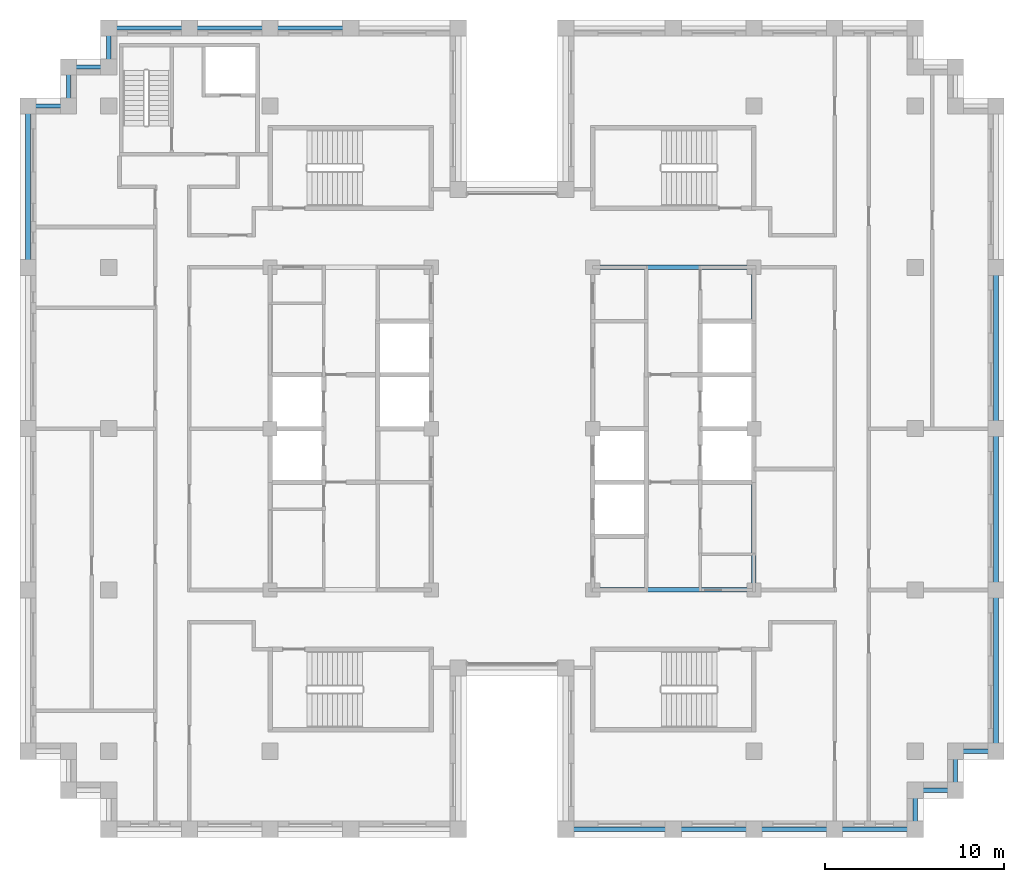
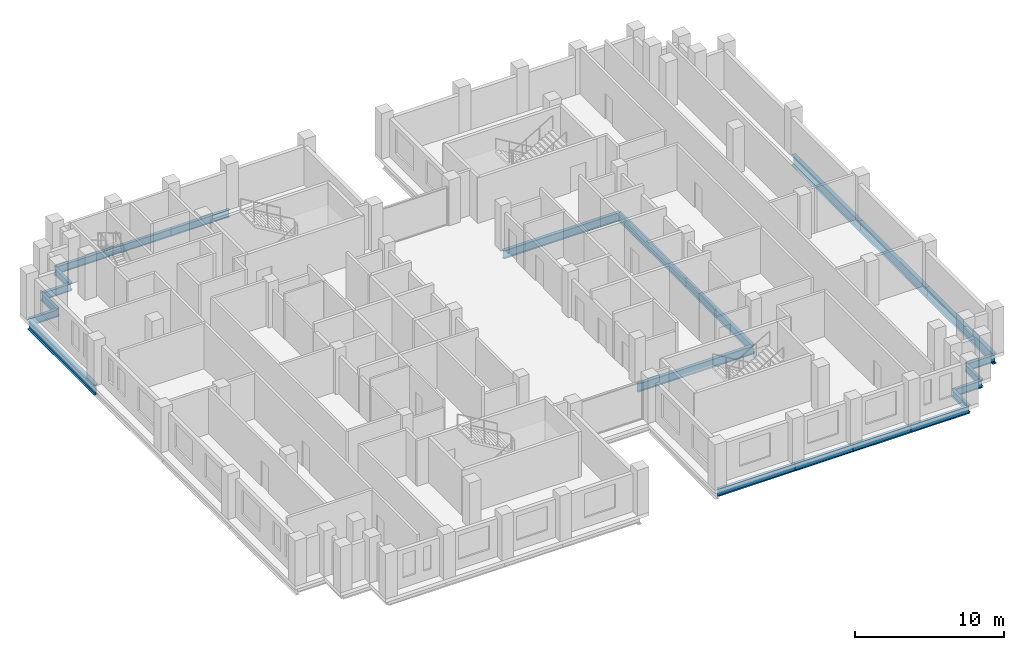
# One storey, part 3 of 13: 23 beams.
"""IFC4 building model written with IfcOpenShell, lengths in metres."""

from ifc_helpers import new_model, si_unit, direction, frame, origin, origin_2d, place, context, subcontext, project, spatial, i_section, extrude, material, material_profile, profile_set, type_object, element, save


model = new_model("IFC4")

# Units and contexts
model_context = context("Model", 3, precision=1e-05, world=origin(), true_north=direction((0.0, 1.0)))
body_context = subcontext(model_context, "Body", "Model", "MODEL_VIEW")
ifc_project = project(units=[si_unit("LENGTHUNIT", "METRE"), si_unit("AREAUNIT", "SQUARE_METRE"), si_unit("VOLUMEUNIT", "CUBIC_METRE"), si_unit("PLANEANGLEUNIT", "RADIAN"), si_unit("MASSUNIT", "GRAM", prefix="KILO")], contexts=[model_context])

# Site, building, storey
site_placement = place(None, origin())
site = spatial("IfcSite", under=ifc_project, at=site_placement, CompositionType="ELEMENT")
building_placement = place(site_placement, origin())
building = spatial("IfcBuilding", under=site, at=building_placement, Name="Corbelhall Arena Tower", CompositionType="ELEMENT")
storey_placement = place(building_placement, frame((0.0, 0.0, 266.0)))
storey = spatial("IfcBuildingStorey", under=building, at=storey_placement, Name="L57", CompositionType="ELEMENT", Elevation=266.0)

# Beams
ifc_material = material(Name="Steel ASTM A992 Gr50", Category="steel")
ifc_material_profile_1 = material_profile(ifc_material, i_section(OverallWidth=0.25390625, OverallDepth=0.67822265625, WebThickness=0.01171875, FlangeThickness=0.016357421875, at=origin_2d()))
ifc_profile_set_1 = profile_set([ifc_material_profile_1], Name="Steel ASTM A992 Gr50")
beam_type_1 = type_object("IfcBeamType", Name="ST-BEAM-W27x84", PredefinedType="BEAM", material=ifc_profile_set_1)
for number, where, z_axis, x_axis, name in (
    (1, (13.5, -9.0, -0.619140625), (0.0, 1.0, 0.0), (-1.0, 0.0, 0.0), "Beam CEE 9"),
    (2, (13.5, 0.0, -0.619140625), (0.0, 1.0, 0.0), (-1.0, 0.0, 0.0), "Beam CEE 10"),
    (3, (4.5, -9.0, -0.619140625), (1.0, 0.0, 0.0), (0.0, 1.0, 0.0), "Beam CEE 11"),
    (4, (4.5, 9.0, -0.619140625), (1.0, 0.0, 0.0), (0.0, 1.0, 0.0), "Beam CEE 12"),
):
    element("IfcBeam", number, at=place(storey_placement, frame(where, z_axis=z_axis, x_axis=x_axis)), inside=storey, type_object=beam_type_1, Name=name, PredefinedType="BEAM", context=body_context, shape_type="SweptSolid", body=[
        extrude(i_section(OverallWidth=0.25390625, OverallDepth=0.67822265625, WebThickness=0.01171875, FlangeThickness=0.016357421875, at=origin_2d()), origin(), (0.0, 0.0, 1.0), 9.0),
    ])
ifc_material_profile_2 = material_profile(ifc_material, i_section(OverallWidth=0.227783203125, OverallDepth=0.60205078125, WebThickness=0.010498046875, FlangeThickness=0.014892578125, at=origin_2d()))
ifc_profile_set_2 = profile_set([ifc_material_profile_2], Name="Steel ASTM A992 Gr50")
beam_type_2 = type_object("IfcBeamType", Name="ST-SPANDREL-W24x68", PredefinedType="SPANDREL", material=ifc_profile_set_2)
beam_1_placement = place(storey_placement, frame((27.0, -18.0, -0.5810546875), z_axis=(-1.0, 0.0, 0.0), x_axis=(0.0, -1.0, 0.0)))
element("IfcBeam", 5, at=beam_1_placement, inside=storey, type_object=beam_type_2, Name="Beam SP 5", PredefinedType="SPANDREL", context=body_context, shape_type="SweptSolid", body=[
    extrude(i_section(OverallWidth=0.227783203125, OverallDepth=0.60205078125, WebThickness=0.010498046875, FlangeThickness=0.014892578125, at=origin_2d()), origin(), (0.0, 0.0, 1.0), 2.25),
])
for number, where, z_axis, x_axis, name in (
    (6, (-13.5, 22.35009765625, -0.5810546875), (1.0, 0.0, 0.0), (0.0, 1.0, 0.0), "Beam SP 13"),
    (7, (-18.0, 22.35009765625, -0.5810546875), (1.0, 0.0, 0.0), (0.0, 1.0, 0.0), "Beam SP 14"),
    (8, (-22.5, 22.35009765625, -0.5810546875), (1.0, 0.0, 0.0), (0.0, 1.0, 0.0), "Beam SP 15"),
):
    element("IfcBeam", number, at=place(storey_placement, frame(where, z_axis=z_axis, x_axis=x_axis)), inside=storey, type_object=beam_type_2, Name=name, PredefinedType="SPANDREL", context=body_context, shape_type="SweptSolid", body=[
        extrude(i_section(OverallWidth=0.227783203125, OverallDepth=0.60205078125, WebThickness=0.010498046875, FlangeThickness=0.014892578125, at=origin_2d()), origin(), (0.0, 0.0, 1.0), 4.5),
    ])
beam_2_placement = place(storey_placement, frame((9.0, -22.35009765625, -0.5810546875), z_axis=(-1.0, 0.0, 0.0), x_axis=(0.0, -1.0, 0.0)))
element("IfcBeam", 9, at=beam_2_placement, inside=storey, type_object=beam_type_2, Name="Beam SP 17", PredefinedType="SPANDREL", context=body_context, shape_type="SweptSolid", body=[
    extrude(i_section(OverallWidth=0.227783203125, OverallDepth=0.60205078125, WebThickness=0.010498046875, FlangeThickness=0.014892578125, at=origin_2d()), origin(), (0.0, 0.0, 1.0), 6.0),
])
for number, where, z_axis, x_axis, name in (
    (10, (13.5, -22.35009765625, -0.5810546875), (-1.0, 0.0, 0.0), (0.0, -1.0, 0.0), "Beam SP 18"),
    (11, (18.0, -22.35009765625, -0.5810546875), (-1.0, 0.0, 0.0), (0.0, -1.0, 0.0), "Beam SP 19"),
    (12, (22.5, -22.35009765625, -0.5810546875), (-1.0, 0.0, 0.0), (0.0, -1.0, 0.0), "Beam SP 20"),
):
    element("IfcBeam", number, at=place(storey_placement, frame(where, z_axis=z_axis, x_axis=x_axis)), inside=storey, type_object=beam_type_2, Name=name, PredefinedType="SPANDREL", context=body_context, shape_type="SweptSolid", body=[
        extrude(i_section(OverallWidth=0.227783203125, OverallDepth=0.60205078125, WebThickness=0.010498046875, FlangeThickness=0.014892578125, at=origin_2d()), origin(), (0.0, 0.0, 1.0), 4.5),
    ])
beam_3_placement = place(storey_placement, frame((-27.0, 18.0, -0.5810546875), z_axis=(1.0, 0.0, 0.0), x_axis=(0.0, 1.0, 0.0)))
element("IfcBeam", 13, at=beam_3_placement, inside=storey, type_object=beam_type_2, Name="Beam SP 28", PredefinedType="SPANDREL", context=body_context, shape_type="SweptSolid", body=[
    extrude(i_section(OverallWidth=0.227783203125, OverallDepth=0.60205078125, WebThickness=0.010498046875, FlangeThickness=0.014892578125, at=origin_2d()), origin(), (0.0, 0.0, 1.0), 2.25),
])
beam_4_placement = place(storey_placement, frame((-22.5, 20.175048828125, -0.5810546875), z_axis=(0.0, 1.0, 0.0), x_axis=(-1.0, 0.0, 0.0)))
element("IfcBeam", 14, at=beam_4_placement, inside=storey, type_object=beam_type_2, Name="Beam SP 38", PredefinedType="SPANDREL", context=body_context, shape_type="SweptSolid", body=[
    extrude(i_section(OverallWidth=0.227783203125, OverallDepth=0.60205078125, WebThickness=0.010498046875, FlangeThickness=0.014892578125, at=origin_2d()), origin(), (0.0, 0.0, 1.0), 2.175048828125),
])
beam_5_placement = place(storey_placement, frame((-24.75, 20.175048828125, -0.5810546875), z_axis=(1.0, 0.0, 0.0), x_axis=(0.0, 1.0, 0.0)))
element("IfcBeam", 15, at=beam_5_placement, inside=storey, type_object=beam_type_2, Name="Beam SP 39", PredefinedType="SPANDREL", context=body_context, shape_type="SweptSolid", body=[
    extrude(i_section(OverallWidth=0.227783203125, OverallDepth=0.60205078125, WebThickness=0.010498046875, FlangeThickness=0.014892578125, at=origin_2d()), origin(), (0.0, 0.0, 1.0), 2.25),
])
for number, where, z_axis, x_axis, name in (
    (16, (-24.75, 18.0, -0.5810546875), (0.0, 1.0, 0.0), (-1.0, 0.0, 0.0), "Beam SP 40"),
    (17, (22.5, -20.175048828125, -0.5810546875), (0.0, -1.0, 0.0), (1.0, 0.0, 0.0), "Beam SP 41"),
):
    element("IfcBeam", number, at=place(storey_placement, frame(where, z_axis=z_axis, x_axis=x_axis)), inside=storey, type_object=beam_type_2, Name=name, PredefinedType="SPANDREL", context=body_context, shape_type="SweptSolid", body=[
        extrude(i_section(OverallWidth=0.227783203125, OverallDepth=0.60205078125, WebThickness=0.010498046875, FlangeThickness=0.014892578125, at=origin_2d()), origin(), (0.0, 0.0, 1.0), 2.175048828125),
    ])
beam_6_placement = place(storey_placement, frame((24.75, -20.175048828125, -0.5810546875), z_axis=(-1.0, 0.0, 0.0), x_axis=(0.0, -1.0, 0.0)))
element("IfcBeam", 18, at=beam_6_placement, inside=storey, type_object=beam_type_2, Name="Beam SP 42", PredefinedType="SPANDREL", context=body_context, shape_type="SweptSolid", body=[
    extrude(i_section(OverallWidth=0.227783203125, OverallDepth=0.60205078125, WebThickness=0.010498046875, FlangeThickness=0.014892578125, at=origin_2d()), origin(), (0.0, 0.0, 1.0), 2.25),
])
beam_7_placement = place(storey_placement, frame((24.75, -18.0, -0.5810546875), z_axis=(0.0, -1.0, 0.0), x_axis=(1.0, 0.0, 0.0)))
element("IfcBeam", 19, at=beam_7_placement, inside=storey, type_object=beam_type_2, Name="Beam SP 43", PredefinedType="SPANDREL", context=body_context, shape_type="SweptSolid", body=[
    extrude(i_section(OverallWidth=0.227783203125, OverallDepth=0.60205078125, WebThickness=0.010498046875, FlangeThickness=0.014892578125, at=origin_2d()), origin(), (0.0, 0.0, 1.0), 2.175048828125),
])
ifc_material_profile_3 = material_profile(ifc_material, i_section(OverallWidth=0.2919921875, OverallDepth=0.845703125, WebThickness=0.015380859375, FlangeThickness=0.0244140625, at=origin_2d()))
ifc_profile_set_3 = profile_set([ifc_material_profile_3], Name="Steel ASTM A992 Gr50")
beam_type_3 = type_object("IfcBeamType", Name="ST-SPANDREL-W33x141", PredefinedType="SPANDREL", material=ifc_profile_set_3)
for number, where, z_axis, x_axis, name in (
    (20, (27.0, 0.0, -0.702880859375), (0.0, -1.0, 0.0), (1.0, 0.0, 0.0), "Beam SP 1"),
    (21, (27.0, 9.0, -0.702880859375), (0.0, -1.0, 0.0), (1.0, 0.0, 0.0), "Beam SP 2"),
    (22, (27.0, -9.0, -0.702880859375), (0.0, -1.0, 0.0), (1.0, 0.0, 0.0), "Beam SP 4"),
    (23, (-27.0, 9.0, -0.702880859375), (0.0, 1.0, 0.0), (-1.0, 0.0, 0.0), "Beam SP 27"),
):
    element("IfcBeam", number, at=place(storey_placement, frame(where, z_axis=z_axis, x_axis=x_axis)), inside=storey, type_object=beam_type_3, Name=name, PredefinedType="SPANDREL", context=body_context, shape_type="SweptSolid", body=[
        extrude(i_section(OverallWidth=0.2919921875, OverallDepth=0.845703125, WebThickness=0.015380859375, FlangeThickness=0.0244140625, at=origin_2d()), origin(), (0.0, 0.0, 1.0), 9.0),
    ])

save(model, "model.ifc")
